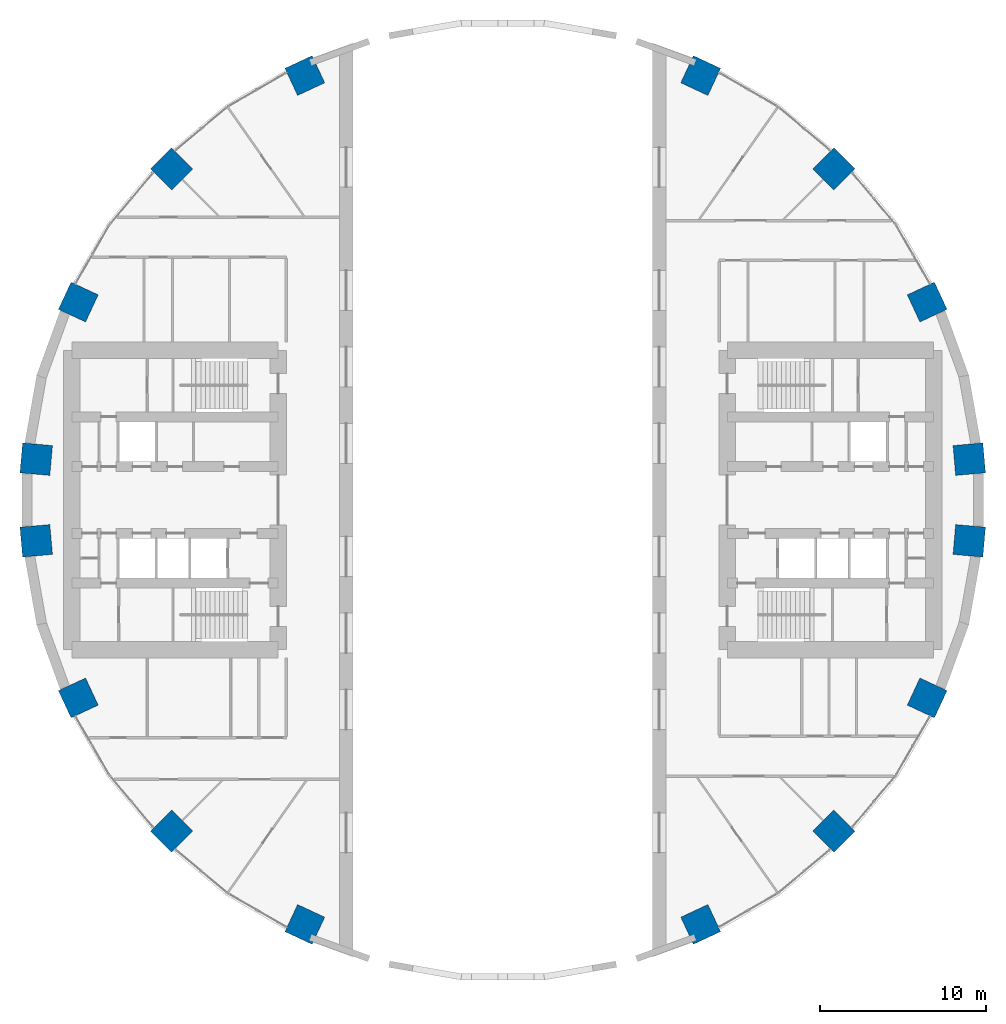
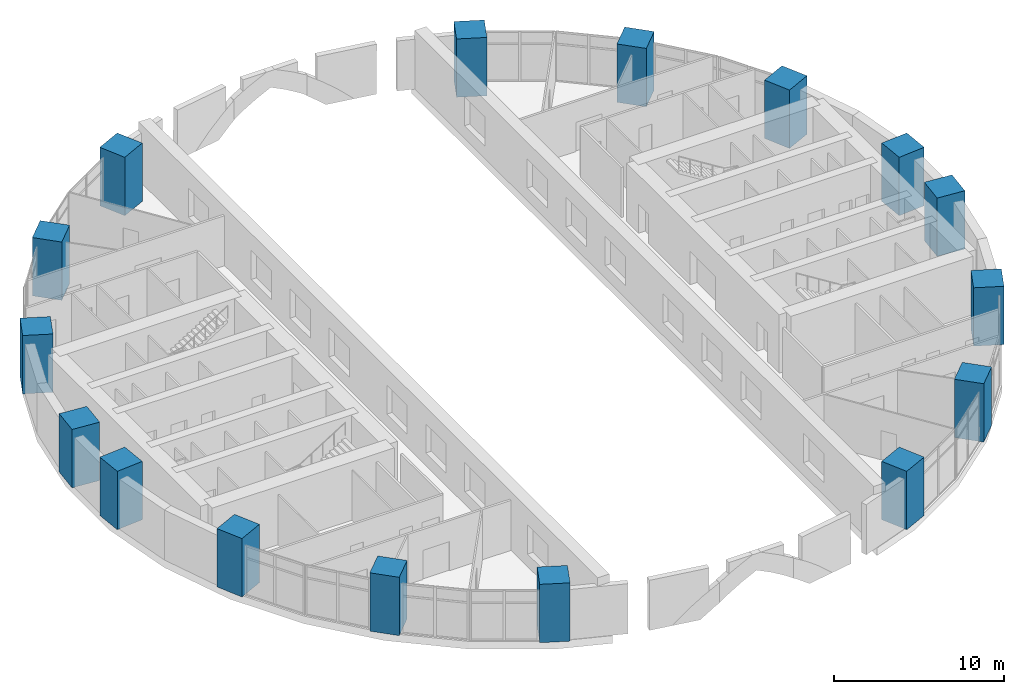
# One storey, part 1 of 15: 16 columns.
"""IFC4 building model written with IfcOpenShell, lengths in metres."""

from ifc_helpers import new_model, si_unit, direction, frame, origin, origin_2d, place, context, subcontext, project, spatial, rectangle, extrude, material, material_profile, profile_set, type_object, element, save


model = new_model("IFC4")

# Units and contexts
model_context = context("Model", 3, precision=1e-05, world=origin(), true_north=direction((0.0, 1.0)))
body_context = subcontext(model_context, "Body", "Model", "MODEL_VIEW")
ifc_project = project(units=[si_unit("LENGTHUNIT", "METRE"), si_unit("AREAUNIT", "SQUARE_METRE"), si_unit("VOLUMEUNIT", "CUBIC_METRE"), si_unit("PLANEANGLEUNIT", "RADIAN"), si_unit("MASSUNIT", "GRAM", prefix="KILO")], contexts=[model_context])

# Site, building, storey
site_placement = place(None, origin())
site = spatial("IfcSite", under=ifc_project, at=site_placement, CompositionType="ELEMENT")
building_placement = place(site_placement, origin())
building = spatial("IfcBuilding", under=site, at=building_placement, Name="Saqina Gate Tower", CompositionType="ELEMENT")
storey_placement = place(building_placement, frame((0.0, 0.0, 17.60009765625)))
storey = spatial("IfcBuildingStorey", under=building, at=storey_placement, Name="L04", CompositionType="ELEMENT", Elevation=17.60009765625)

# Columns
ifc_material = material(Name="Concrete C70/85", Category="concrete")
ifc_material_profile = material_profile(ifc_material, rectangle(XDim=1.800048828125, YDim=1.800048828125, at=origin_2d()), Name="RC 1800x1800")
ifc_profile_set = profile_set([ifc_material_profile], Name="Concrete C70/85")
column_type = type_object("IfcColumnType", Name="STR-COL-MEGA-P", PredefinedType="COLUMN", material=ifc_profile_set)
for number, where, z_axis, x_axis, name in (
    (1, (28.04296875, 2.453369140625, 0.0), (0.0, 0.0, 1.0), (0.996194698092, 0.087155742748, 0.0), "L04-COL01"),
    (2, (25.512451171875, 11.896728515625, 0.0), (0.0, 0.0, 1.0), (0.906307787037, 0.422618261741, 0.0), "L04-COL03"),
    (3, (19.905029296875, 19.905029296875, 0.0), (0.0, 0.0, 1.0), (0.707106781187, 0.707106781187, 0.0), "L04-COL05"),
    (4, (11.896728515625, 25.512451171875, 0.0), (0.0, 0.0, 1.0), (0.422618261741, 0.906307787037, 0.0), "L04-COL07"),
    (5, (-11.896728515625, 25.512451171875, 0.0), (0.0, 0.0, 1.0), (-0.422618261741, 0.906307787037, 0.0), "L04-COL12"),
    (6, (-19.905029296875, 19.905029296875, 0.0), (0.0, 0.0, 1.0), (-0.707106781187, 0.707106781187, 0.0), "L04-COL14"),
    (7, (-25.512451171875, 11.896728515625, 0.0), (0.0, 0.0, 1.0), (-0.906307787037, 0.422618261741, 0.0), "L04-COL16"),
    (8, (-28.04296875, 2.453369140625, 0.0), (0.0, 0.0, 1.0), (-0.996194698092, 0.087155742748, 0.0), "L04-COL18"),
    (9, (-28.04296875, -2.453369140625, 0.0), (0.0, 0.0, 1.0), (-0.996194698092, -0.087155742748, 0.0), "L04-COL19"),
    (10, (-25.512451171875, -11.896728515625, 0.0), (0.0, 0.0, 1.0), (-0.906307787037, -0.422618261741, 0.0), "L04-COL21"),
    (11, (-19.905029296875, -19.905029296875, 0.0), (0.0, 0.0, 1.0), (-0.707106781187, -0.707106781187, 0.0), "L04-COL23"),
    (12, (-11.896728515625, -25.512451171875, 0.0), (0.0, 0.0, 1.0), (-0.422618261741, -0.906307787037, 0.0), "L04-COL25"),
    (13, (11.896728515625, -25.512451171875, 0.0), (0.0, 0.0, 1.0), (0.422618261741, -0.906307787037, 0.0), "L04-COL30"),
    (14, (19.905029296875, -19.905029296875, 0.0), (0.0, 0.0, 1.0), (0.707106781187, -0.707106781187, 0.0), "L04-COL32"),
    (15, (25.512451171875, -11.896728515625, 0.0), (0.0, 0.0, 1.0), (0.906307787037, -0.422618261741, 0.0), "L04-COL34"),
    (16, (28.04296875, -2.453369140625, 0.0), (0.0, 0.0, 1.0), (0.996194698092, -0.087155742748, 0.0), "L04-COL36"),
):
    element("IfcColumn", number, at=place(storey_placement, frame(where, z_axis=z_axis, x_axis=x_axis)), inside=storey, type_object=column_type, Name=name, PredefinedType="COLUMN", context=body_context, shape_type="SweptSolid", body=[
        extrude(rectangle(XDim=1.800048828125, YDim=1.800048828125, at=origin_2d()), origin(), (0.0, 0.0, 1.0), 4.199951171875),
    ])

save(model, "model.ifc")
